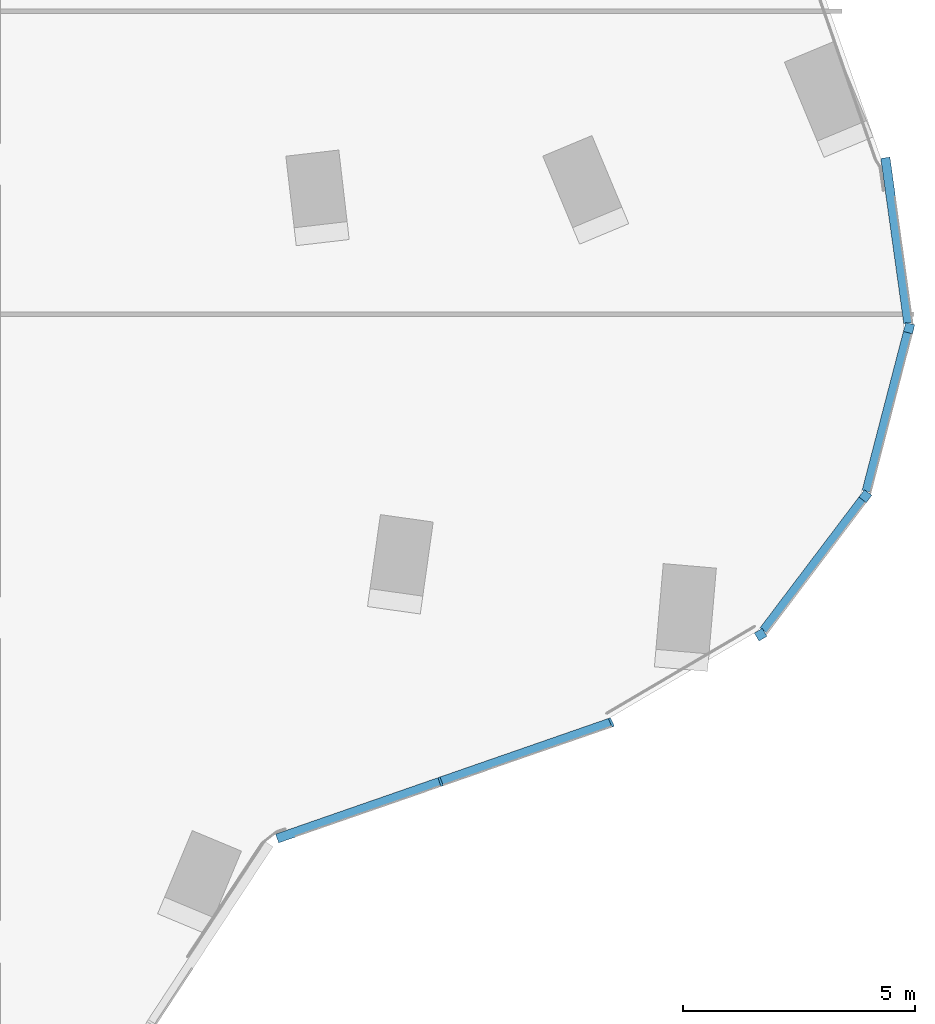
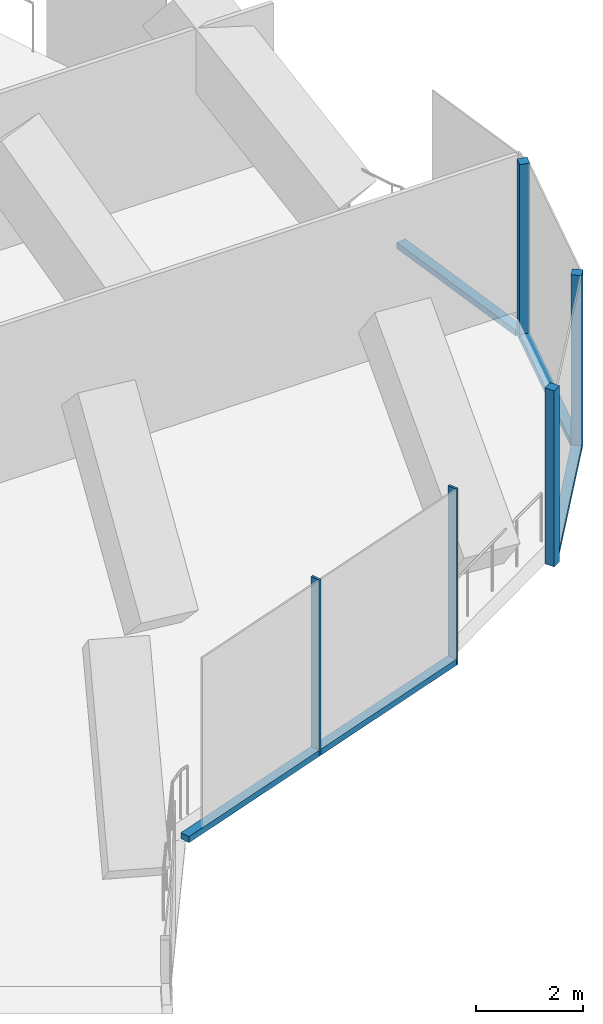
# One storey, part 7 of 26: 9 members, 4 elements without a shape of their own.
"""IFC4 building model written with IfcOpenShell, lengths in metres."""

import ifcopenshell
import ifcopenshell.guid

model = None  # the IFC model being written
_history = None  # IfcOwnerHistory: only IFC2X3 demands one
_inside = {}  # id of a spatial element -> (the spatial element, [elements in it])
_under = {}  # id of a project, library or spatial element -> (it, [spatial elements below it])
_declared = {}  # id of a project -> (the project, [libraries it declares])
_typed = {}  # id of a type object -> (the type object, [elements of that type])
_made_of = {}  # id of a material, layer set ... -> (it, [elements and type objects made of it])


def new_model(schema):
    """Start an empty IFC model of exactly this schema.

    Asked for "IFC4X3", IfcOpenShell would pick the latest addendum, in which some entities
    have other attributes; the version numbers below select the first issue.
    IFC2X3 requires an IfcOwnerHistory on every rooted entity: one is made here for all.
    """
    global model, _history
    if schema == "IFC4X3":
        model = ifcopenshell.file(schema_version=(4, 3, 0, 0))
    else:
        model = ifcopenshell.file(schema=schema)
    _inside.clear()
    _under.clear()
    _declared.clear()
    _typed.clear()
    _made_of.clear()
    _history = None
    if model.schema == "IFC2X3":
        org = make("IfcOrganization", Name="unknown")
        user = make(
            "IfcPersonAndOrganization",
            ThePerson=make("IfcPerson", FamilyName="unknown"),
            TheOrganization=org,
        )
        app = make(
            "IfcApplication",
            ApplicationDeveloper=org,
            Version="unknown",
            ApplicationFullName="unknown",
            ApplicationIdentifier="unknown",
        )
        _history = make(
            "IfcOwnerHistory",
            OwningUser=user,
            OwningApplication=app,
            ChangeAction="ADDED",
            CreationDate=0,
        )
    return model


def make(cls, **values):
    """One entity of the class cls with the attributes given. An attribute that is None is left unset."""
    return model.create_entity(
        cls, **{name: value for name, value in values.items() if value is not None}
    )


def rooted(cls, **values):
    """An entity with a GlobalId (a new one), such as an element, a storey or a relation."""
    return make(cls, GlobalId=ifcopenshell.guid.new(), OwnerHistory=_history, **values)


def si_unit(unit_type, name, prefix=None):
    """IfcSIUnit, for example si_unit("LENGTHUNIT", "METRE", prefix="MILLI")."""
    return make("IfcSIUnit", UnitType=unit_type, Prefix=prefix, Name=name)


def assignment(units):
    """IfcUnitAssignment: the units of a project."""
    return None if units is None else make("IfcUnitAssignment", Units=units)


def point(xyz):
    """IfcCartesianPoint."""
    return None if xyz is None else make("IfcCartesianPoint", Coordinates=xyz)


def direction(xyz):
    """IfcDirection."""
    return None if xyz is None else make("IfcDirection", DirectionRatios=xyz)


def frame(location, z_axis=None, x_axis=None):
    """IfcAxis2Placement3D, a coordinate frame: its origin and axes. An axis left out is left unset."""
    return make(
        "IfcAxis2Placement3D",
        Location=point(location),
        Axis=direction(z_axis),
        RefDirection=direction(x_axis),
    )


def frame_2d(location, x_axis=None):
    """IfcAxis2Placement2D, a coordinate frame in the plane: its origin and x axis."""
    return make(
        "IfcAxis2Placement2D", Location=point(location), RefDirection=direction(x_axis)
    )


def origin():
    """The frame at (0, 0, 0) with its axes left unset."""
    return frame((0.0, 0.0, 0.0))


def origin_2d():
    """The frame at (0, 0) in the plane with its x axis left unset."""
    return frame_2d((0.0, 0.0))


def place(relative_to, where):
    """IfcLocalPlacement: puts the frame where relative to a parent placement (None: the world)."""
    return make(
        "IfcLocalPlacement", PlacementRelTo=relative_to, RelativePlacement=where
    )


def context(
    kind, dimensions, precision=None, world=None, true_north=None, identifier=None
):
    """IfcGeometricRepresentationContext, for example the 3D "Model" context."""
    return make(
        "IfcGeometricRepresentationContext",
        ContextIdentifier=identifier,
        ContextType=kind,
        CoordinateSpaceDimension=dimensions,
        Precision=precision,
        WorldCoordinateSystem=world,
        TrueNorth=true_north,
    )


def subcontext(parent, identifier, kind, view, scale=None):
    """IfcGeometricRepresentationSubContext, for example "Body" below "Model"."""
    return make(
        "IfcGeometricRepresentationSubContext",
        ContextIdentifier=identifier,
        ContextType=kind,
        ParentContext=parent,
        TargetScale=scale,
        TargetView=view,
    )


def project(units=None, contexts=None):
    """IfcProject with its units and contexts."""
    return rooted(
        "IfcProject",
        Name="project",
        RepresentationContexts=contexts,
        UnitsInContext=assignment(units),
    )


def spatial(cls, under=None, at=None, **own):
    """A site, building, storey or space (cls), placed at a placement, below another one or the project."""
    s = rooted(cls, ObjectPlacement=at, **own)
    if under is not None:
        _under.setdefault(under.id(), (under, []))[1].append(s)
    return s


def profile(cls, at=None, kind="AREA", **sizes):
    """A parametric profile (cls). Its sizes go by their IFC names, for example OverallWidth=200.0."""
    return make(cls, ProfileType=kind, Position=at, **sizes)


def rectangle(**sizes):
    """IfcRectangleProfileDef."""
    return profile("IfcRectangleProfileDef", **sizes)


def extrude(swept, where, along, depth):
    """IfcExtrudedAreaSolid: the profile swept, set in the frame where, extruded along a direction by depth."""
    return make(
        "IfcExtrudedAreaSolid",
        SweptArea=swept,
        Position=where,
        ExtrudedDirection=direction(along),
        Depth=depth,
    )


def shape(context_of_items, identifier, shape_type, items):
    """IfcShapeRepresentation: the items that make up one representation, for example the "Body"."""
    return make(
        "IfcShapeRepresentation",
        ContextOfItems=context_of_items,
        RepresentationIdentifier=identifier,
        RepresentationType=shape_type,
        Items=items,
    )


def material(Name=None, Category=None):
    """IfcMaterial."""
    return make("IfcMaterial", Name=Name, Category=Category)


def material_profile(
    of_material, cross_section, Name=None, Category=None, Priority=None
):
    """IfcMaterialProfile: a cross section and its material."""
    return make(
        "IfcMaterialProfile",
        Name=Name,
        Material=of_material,
        Profile=cross_section,
        Priority=Priority,
        Category=Category,
    )


def profile_set(profiles, Name=None, composite=None):
    """IfcMaterialProfileSet."""
    return make(
        "IfcMaterialProfileSet",
        Name=Name,
        MaterialProfiles=profiles,
        CompositeProfile=composite,
    )


def made_of(thing, what):
    """Note that an element or type object is made of a material, layer set ...; save() writes the relation."""
    if what is not None:
        _made_of.setdefault(what.id(), (what, []))[1].append(thing)
    return thing


def type_object(cls, material=None, **own):
    """A type object (cls), such as IfcWallType, which elements share."""
    return made_of(rooted(cls, **own), material)


def element(
    cls,
    number,
    at=None,
    inside=None,
    cuts=None,
    type_object=None,
    material=None,
    context=None,
    identifier="Body",
    shape_type=None,
    held_by="IfcProductDefinitionShape",
    body=None,
    shapes=None,
    **own,
):
    """One element of the class cls, such as IfcWall. Its Tag is "e" and its number.

    at: its placement. inside: the storey or other place that contains it. cuts: it is an
    opening in that element (IfcRelVoidsElement). A single representation is given by context,
    identifier, shape_type and body (its items); several are given by shapes. held_by: the class
    of the entity that holds the representations. save() writes the other relations.
    """
    e = rooted(cls, Tag="e%d" % number, ObjectPlacement=at, **own)
    if body is not None:
        shapes = [shape(context, identifier, shape_type, body)]
    if shapes is not None:
        e.Representation = make(held_by, Representations=shapes)
    if inside is not None:
        _inside.setdefault(inside.id(), (inside, []))[1].append(e)
    if cuts is not None:
        rooted(
            "IfcRelVoidsElement", RelatingBuildingElement=cuts, RelatedOpeningElement=e
        )
    if type_object is not None:
        _typed.setdefault(type_object.id(), (type_object, []))[1].append(e)
    return made_of(e, material)


def aggregate(whole, parts):
    """IfcRelAggregates: a whole, such as a stair, and the parts it consists of."""
    return rooted("IfcRelAggregates", RelatingObject=whole, RelatedObjects=parts)


def save(model, path):
    """Write the relations noted so far, then the file.

    IfcRelAggregates (storeys below a building ...), IfcRelContainedInSpatialStructure (elements
    in a storey), IfcRelDefinesByType, IfcRelAssociatesMaterial and IfcRelDeclares: one each for
    every whole, place, type object, material and project.
    """
    for whole, parts in _under.values():
        aggregate(whole, parts)
    for where, things in _inside.values():
        rooted(
            "IfcRelContainedInSpatialStructure",
            RelatedElements=things,
            RelatingStructure=where,
        )
    for kind, things in _typed.values():
        rooted("IfcRelDefinesByType", RelatedObjects=things, RelatingType=kind)
    for what, things in _made_of.values():
        rooted("IfcRelAssociatesMaterial", RelatedObjects=things, RelatingMaterial=what)
    for by, libraries in _declared.values():
        rooted("IfcRelDeclares", RelatingContext=by, RelatedDefinitions=libraries)
    model.write(path)


model = new_model("IFC4")

# Units and contexts
model_context = context("Model", 3, precision=1e-05, world=origin(), true_north=direction((0.0, 1.0)))
body_context = subcontext(model_context, "Body", "Model", "MODEL_VIEW")
ifc_project = project(units=[si_unit("LENGTHUNIT", "METRE"), si_unit("AREAUNIT", "SQUARE_METRE"), si_unit("VOLUMEUNIT", "CUBIC_METRE"), si_unit("PLANEANGLEUNIT", "RADIAN"), si_unit("MASSUNIT", "GRAM", prefix="KILO")], contexts=[model_context])

# Site, building, storey
site_placement = place(None, origin())
site = spatial("IfcSite", under=ifc_project, at=site_placement, CompositionType="ELEMENT")
building_placement = place(site_placement, origin())
building = spatial("IfcBuilding", under=site, at=building_placement, Name="Orlundy Tower", CompositionType="ELEMENT")
storey_placement = place(building_placement, frame((0.0, 0.0, 249.5)))
storey = spatial("IfcBuildingStorey", under=building, at=storey_placement, Name="L66", CompositionType="ELEMENT", Elevation=249.5)

# Curtain wall, member
ifc_material_1 = material(Name="Aluminium bronze anodised", Category="aluminium")
curtain_wall_type = type_object("IfcCurtainWallType", Name="CW5 wall", PredefinedType="NOTDEFINED", material=ifc_material_1)
curtain_wall_1_placement = place(storey_placement, origin())
curtain_wall_1 = element("IfcCurtainWall", 1, at=curtain_wall_1_placement, inside=storey, type_object=curtain_wall_type, Name="CW5 run 025", PredefinedType="NOTDEFINED")
ifc_material_2 = material(Name="Aluminium bronze anodised", Category="aluminium")
ifc_material_profile_1 = material_profile(ifc_material_2, rectangle(XDim=0.199951171875, YDim=0.199951171875, at=origin_2d()), Name="CW5 corner post 200x200")
ifc_profile_set_1 = profile_set([ifc_material_profile_1], Name="Aluminium bronze anodised")
member_type_1 = type_object("IfcMemberType", Name="CW5 corner post 200x200", PredefinedType="MULLION", material=ifc_profile_set_1)
member_1_placement = place(storey_placement, frame((42.314697265625, -0.298828125, -0.419921875), z_axis=(0.0, 0.0, 1.0), x_axis=(0.967797533004, -0.251729885218, 0.0)))
member_1 = element("IfcMember", 2, at=member_1_placement, type_object=member_type_1, Name="CW5 mullion 36", PredefinedType="MULLION", context=body_context, shape_type="SweptSolid", body=[
    extrude(rectangle(XDim=0.199951171875, YDim=0.199951171875, at=origin_2d()), origin(), (0.0, 0.0, 1.0), 4.0),
])

# Curtain wall, members
curtain_wall_2_placement = place(storey_placement, origin())
curtain_wall_2 = element("IfcCurtainWall", 3, at=curtain_wall_2_placement, inside=storey, type_object=curtain_wall_type, Name="CW5 run 026", PredefinedType="NOTDEFINED")
member_2_placement = place(storey_placement, frame((41.371826171875, -3.92431640625, -0.419921875), z_axis=(0.0, 0.0, 1.0), x_axis=(0.797630845017, -0.603145948405, 0.0)))
member_2 = element("IfcMember", 4, at=member_2_placement, type_object=member_type_1, Name="CW5 mullion 37", PredefinedType="MULLION", context=body_context, shape_type="SweptSolid", body=[
    extrude(rectangle(XDim=0.199951171875, YDim=0.199951171875, at=origin_2d()), origin(), (0.0, 0.0, 1.0), 4.0),
])
member_3_placement = place(storey_placement, frame((39.11181640625, -6.9130859375, -0.419921875), z_axis=(0.0, 0.0, 1.0), x_axis=(0.506418670322, -0.862287730604, 0.0)))
member_3 = element("IfcMember", 5, at=member_3_placement, type_object=member_type_1, Name="CW5 mullion 38", PredefinedType="MULLION", context=body_context, shape_type="SweptSolid", body=[
    extrude(rectangle(XDim=0.199951171875, YDim=0.199951171875, at=origin_2d()), origin(), (0.0, 0.0, 1.0), 4.0),
])

curtain_wall_3_placement = place(storey_placement, origin())
curtain_wall_3 = element("IfcCurtainWall", 6, at=curtain_wall_3_placement, inside=storey, type_object=curtain_wall_type, Name="CW5 run 028", PredefinedType="NOTDEFINED")
ifc_material_3 = material(Name="Aluminium bronze anodised", Category="aluminium")
ifc_material_profile_2 = material_profile(ifc_material_3, rectangle(XDim=0.199951171875, YDim=0.050048828125, at=origin_2d()), Name="CW5 mullion 50x200")
ifc_profile_set_2 = profile_set([ifc_material_profile_2], Name="Aluminium bronze anodised")
member_type_2 = type_object("IfcMemberType", Name="CW5 mullion 50x200", PredefinedType="MULLION", material=ifc_profile_set_2)
member_4_placement = place(storey_placement, frame((35.89013671875, -8.80517578125, -0.419921875), z_axis=(0.0, 0.0, 1.0), x_axis=(0.419347091388, -0.907825983845, 0.0)))
member_4 = element("IfcMember", 7, at=member_4_placement, type_object=member_type_2, Name="CW5 mullion 39", PredefinedType="MULLION", context=body_context, shape_type="SweptSolid", body=[
    extrude(rectangle(XDim=0.199951171875, YDim=0.050048828125, at=origin_2d()), origin(), (0.0, 0.0, 1.0), 4.0),
])
member_5_placement = place(storey_placement, frame((32.204345703125, -10.0859375, -0.419921875), z_axis=(0.0, 0.0, 1.0), x_axis=(0.328226635601, -0.944599002584, 0.0)))
member_5 = element("IfcMember", 8, at=member_5_placement, type_object=member_type_2, Name="CW5 mullion 40", PredefinedType="MULLION", context=body_context, shape_type="SweptSolid", body=[
    extrude(rectangle(XDim=0.199951171875, YDim=0.050048828125, at=origin_2d()), origin(), (0.0, 0.0, 1.0), 4.0),
])

# Curtain wall, member
curtain_wall_4_placement = place(storey_placement, origin())
curtain_wall_4 = element("IfcCurtainWall", 9, at=curtain_wall_4_placement, inside=storey, type_object=curtain_wall_type, Name="CW5 run 024", PredefinedType="NOTDEFINED")
ifc_material_4 = material(Name="Aluminium bronze anodised", Category="aluminium")
ifc_material_profile_3 = material_profile(ifc_material_4, rectangle(XDim=0.199951171875, YDim=0.139892578125, at=origin_2d()), Name="CW5 transom 200x140")
ifc_profile_set_3 = profile_set([ifc_material_profile_3], Name="Aluminium bronze anodised")
member_type_3 = type_object("IfcMemberType", Name="CW5 transom 200x140", PredefinedType="USERDEFINED", material=ifc_profile_set_3)
member_6_placement = place(storey_placement, frame((41.80322265625, 3.377685546875, -0.35009765625), z_axis=(0.137797302042, -0.99046045027, 0.0), x_axis=(0.99046045027, 0.137797302042, 0.0)))
member_6 = element("IfcMember", 10, at=member_6_placement, type_object=member_type_3, Name="CW5 transom", ObjectType="TRANSOM", PredefinedType="USERDEFINED", context=body_context, shape_type="SweptSolid", body=[
    extrude(rectangle(XDim=0.199951171875, YDim=0.139892578125, at=origin_2d()), origin(), (0.0, 0.0, 1.0), 3.603759765625),
])
aggregate(curtain_wall_4, [member_6])

# Member
member_7_placement = place(storey_placement, frame((42.28955078125, -0.395751953125, -0.35009765625), z_axis=(-0.25174761659, -0.967792920795, 0.0), x_axis=(0.967792920795, -0.25174761659, 0.0)))
member_7 = element("IfcMember", 11, at=member_7_placement, type_object=member_type_3, Name="CW5 transom", ObjectType="TRANSOM", PredefinedType="USERDEFINED", context=body_context, shape_type="SweptSolid", body=[
    extrude(rectangle(XDim=0.199951171875, YDim=0.139892578125, at=origin_2d()), origin(), (0.0, 0.0, 1.0), 3.537841796875),
])

aggregate(curtain_wall_1, [member_1, member_7])

member_8_placement = place(storey_placement, frame((41.3115234375, -4.004150390625, -0.35009765625), z_axis=(-0.60315216757, -0.797626142222, 0.0), x_axis=(0.797626142222, -0.60315216757, 0.0)))
member_8 = element("IfcMember", 12, at=member_8_placement, type_object=member_type_3, Name="CW5 transom", ObjectType="TRANSOM", PredefinedType="USERDEFINED", context=body_context, shape_type="SweptSolid", body=[
    extrude(rectangle(XDim=0.199951171875, YDim=0.139892578125, at=origin_2d()), origin(), (0.0, 0.0, 1.0), 3.5390625),
])

aggregate(curtain_wall_2, [member_2, member_3, member_8])

member_9_placement = place(storey_placement, frame((35.866455078125, -8.8134765625, -0.35009765625), z_axis=(-0.944596310283, -0.328234383634, 0.0), x_axis=(0.328234383634, -0.944596310283, 0.0)))
member_9 = element("IfcMember", 13, at=member_9_placement, type_object=member_type_3, Name="CW5 transom", ObjectType="TRANSOM", PredefinedType="USERDEFINED", context=body_context, shape_type="SweptSolid", body=[
    extrude(rectangle(XDim=0.199951171875, YDim=0.139892578125, at=origin_2d()), origin(), (0.0, 0.0, 1.0), 7.609130859375),
])

aggregate(curtain_wall_3, [member_4, member_5, member_9])

save(model, "model.ifc")
